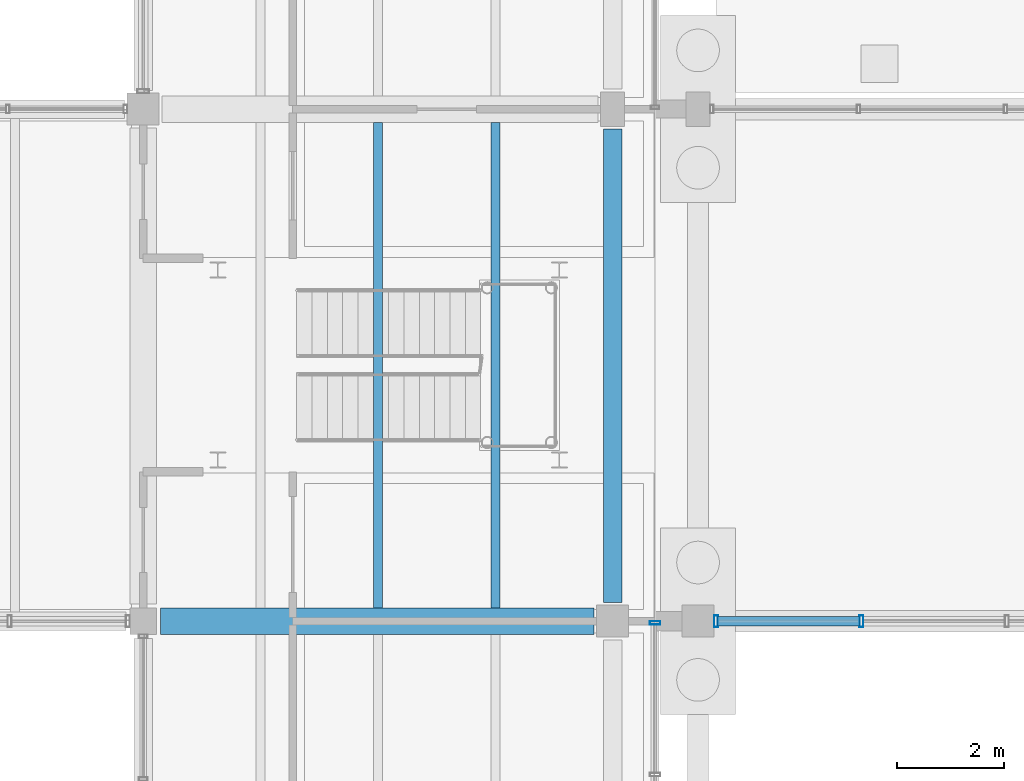
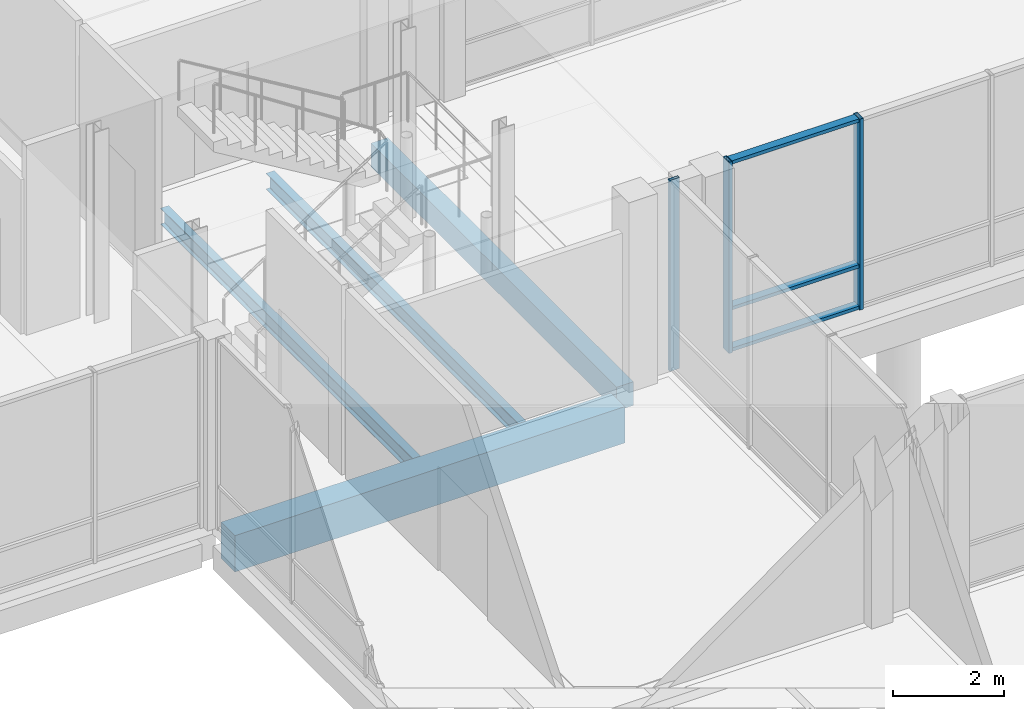
# One storey, part 49 of 104: 6 members, 4 beams, 2 elements without a shape of their own.
"""IFC4 building model written with IfcOpenShell, lengths in metres."""

from ifc_helpers import new_model, si_unit, direction, frame, origin, origin_2d, place, context, subcontext, project, spatial, rectangle, hollow_rectangle, i_section, extrude, material, material_profile, profile_set, type_object, element, aggregate, save


model = new_model("IFC4")

# Units and contexts
model_context = context("Model", 3, precision=1e-05, world=origin(), true_north=direction((0.0, 1.0)))
body_context = subcontext(model_context, "Body", "Model", "MODEL_VIEW")
ifc_project = project(units=[si_unit("LENGTHUNIT", "METRE"), si_unit("AREAUNIT", "SQUARE_METRE"), si_unit("VOLUMEUNIT", "CUBIC_METRE"), si_unit("PLANEANGLEUNIT", "RADIAN"), si_unit("MASSUNIT", "GRAM", prefix="KILO")], contexts=[model_context])

# Site, building, storey
site_placement = place(None, origin())
site = spatial("IfcSite", under=ifc_project, at=site_placement, CompositionType="ELEMENT")
building_placement = place(site_placement, origin())
building = spatial("IfcBuilding", under=site, at=building_placement, Name="Hawrajan Terrace Health Centre", CompositionType="ELEMENT")
storey_placement = place(building_placement, origin())
storey = spatial("IfcBuildingStorey", under=building, at=storey_placement, Name="L00", CompositionType="ELEMENT", Elevation=0.0)

# Curtain wall, member
ifc_material_1 = material(Name="Anodized bronze aluminium and low-E solar glazing", Category="aluminium")
curtain_wall_type_1 = type_object("IfcCurtainWallType", Name="CW_CourtNS_SeriesC1", PredefinedType="USERDEFINED", material=ifc_material_1)
curtain_wall_1_placement = place(storey_placement, origin())
curtain_wall_1 = element("IfcCurtainWall", 1, at=curtain_wall_1_placement, inside=storey, type_object=curtain_wall_type_1, Name="Curtain wall CW-L00-031", ObjectType="UNITISED CURTAIN WALL", PredefinedType="USERDEFINED")
ifc_material_2 = material(Name="Anodized bronze aluminium 6063-T6", Category="aluminium")
ifc_material_profile_1 = material_profile(ifc_material_2, hollow_rectangle(XDim=0.06494140625, YDim=0.199951171875, WallThickness=0.00439453125, at=origin_2d()), Name="CW MUL 65x200")
ifc_profile_set_1 = profile_set([ifc_material_profile_1], Name="Anodized bronze aluminium 6063-T6")
member_type_1 = type_object("IfcMemberType", Name="CWMullion_65x200", PredefinedType="MULLION", material=ifc_profile_set_1)
member_1_placement = place(storey_placement, frame((71.794921875, 27.16748046875, -0.0048828125), z_axis=(0.0, 0.0, 1.0), x_axis=(0.0, 1.0, 0.0)))
member_1 = element("IfcMember", 2, at=member_1_placement, type_object=member_type_1, Name="Mullion CW-L00-031-M4", PredefinedType="MULLION", context=body_context, shape_type="SweptSolid", body=[
    extrude(hollow_rectangle(XDim=0.06494140625, YDim=0.199951171875, WallThickness=0.00439453125, at=origin_2d()), origin(), (0.0, 0.0, 1.0), 4.2099609375),
])
aggregate(curtain_wall_1, [member_1])

# Curtain wall, members
curtain_wall_type_2 = type_object("IfcCurtainWallType", Name="CW_Hall_SeriesD2", PredefinedType="USERDEFINED", material=ifc_material_1)
curtain_wall_2_placement = place(storey_placement, origin())
curtain_wall_2 = element("IfcCurtainWall", 3, at=curtain_wall_2_placement, inside=storey, type_object=curtain_wall_type_2, Name="Curtain wall CW-L00-035", ObjectType="UNITISED CURTAIN WALL", PredefinedType="USERDEFINED")
ifc_material_profile_2 = material_profile(ifc_material_2, hollow_rectangle(XDim=0.074951171875, YDim=0.219970703125, WallThickness=0.0048828125, at=origin_2d()), Name="CW MUL 75x220")
ifc_profile_set_2 = profile_set([ifc_material_profile_2], Name="Anodized bronze aluminium 6063-T6")
member_type_2 = type_object("IfcMemberType", Name="CWMullion_75x220", PredefinedType="MULLION", material=ifc_profile_set_2)
member_2_placement = place(storey_placement, frame((72.9375, 27.199951171875, -0.0048828125), z_axis=(0.0, 0.0, 1.0), x_axis=(1.0, 0.0, 0.0)))
member_2 = element("IfcMember", 4, at=member_2_placement, type_object=member_type_2, Name="Mullion CW-L00-035-M1", PredefinedType="MULLION", context=body_context, shape_type="SweptSolid", body=[
    extrude(hollow_rectangle(XDim=0.074951171875, YDim=0.219970703125, WallThickness=0.0048828125, at=origin_2d()), origin(), (0.0, 0.0, 1.0), 4.2099609375),
])
member_3_placement = place(storey_placement, frame((75.66259765625, 27.199951171875, -0.0048828125), z_axis=(0.0, 0.0, 1.0), x_axis=(1.0, 0.0, 0.0)))
member_3 = element("IfcMember", 5, at=member_3_placement, type_object=member_type_2, Name="Mullion CW-L00-035-M2", PredefinedType="MULLION", context=body_context, shape_type="SweptSolid", body=[
    extrude(hollow_rectangle(XDim=0.074951171875, YDim=0.219970703125, WallThickness=0.0048828125, at=origin_2d()), origin(), (0.0, 0.0, 1.0), 4.2099609375),
])
ifc_material_profile_3 = material_profile(ifc_material_2, hollow_rectangle(XDim=0.074951171875, YDim=0.169921875, WallThickness=0.00439453125, at=origin_2d()), Name="CW TRN 75x170")
ifc_profile_set_3 = profile_set([ifc_material_profile_3], Name="Anodized bronze aluminium 6063-T6")
member_type_3 = type_object("IfcMemberType", Name="CWTransom_75x170", PredefinedType="USERDEFINED", material=ifc_profile_set_3)
member_4_placement = place(storey_placement, frame((72.968994140625, 27.199951171875, 0.03759765625), z_axis=(1.0, 0.0, 0.0), x_axis=(0.0, 0.0, 1.0)))
member_4 = element("IfcMember", 6, at=member_4_placement, type_object=member_type_3, Name="Transom CW-L00-035-T1-1", ObjectType="TRANSOM", PredefinedType="USERDEFINED", context=body_context, shape_type="SweptSolid", body=[
    extrude(hollow_rectangle(XDim=0.074951171875, YDim=0.169921875, WallThickness=0.00439453125, at=origin_2d()), origin(), (0.0, 0.0, 1.0), 2.662109375),
])
member_5_placement = place(storey_placement, frame((72.968994140625, 27.199951171875, 0.949951171875), z_axis=(1.0, 0.0, 0.0), x_axis=(0.0, 0.0, 1.0)))
member_5 = element("IfcMember", 7, at=member_5_placement, type_object=member_type_3, Name="Transom CW-L00-035-T1-2", ObjectType="TRANSOM", PredefinedType="USERDEFINED", context=body_context, shape_type="SweptSolid", body=[
    extrude(hollow_rectangle(XDim=0.074951171875, YDim=0.169921875, WallThickness=0.00439453125, at=origin_2d()), origin(), (0.0, 0.0, 1.0), 2.662109375),
])
member_6_placement = place(storey_placement, frame((72.968994140625, 27.199951171875, 4.16259765625), z_axis=(1.0, 0.0, 0.0), x_axis=(0.0, 0.0, 1.0)))
member_6 = element("IfcMember", 8, at=member_6_placement, type_object=member_type_3, Name="Transom CW-L00-035-T1-3", ObjectType="TRANSOM", PredefinedType="USERDEFINED", context=body_context, shape_type="SweptSolid", body=[
    extrude(hollow_rectangle(XDim=0.074951171875, YDim=0.169921875, WallThickness=0.00439453125, at=origin_2d()), origin(), (0.0, 0.0, 1.0), 2.662109375),
])
aggregate(curtain_wall_2, [member_2, member_3, member_4, member_5, member_6])

# Beams
ifc_material_3 = material(Name="Concrete C40/50", Category="concrete")
ifc_material_profile_4 = material_profile(ifc_material_3, rectangle(XDim=0.5, YDim=0.800048828125, at=origin_2d()), Name="RC BM 500x800")
ifc_profile_set_4 = profile_set([ifc_material_profile_4], Name="Concrete C40/50")
beam_type_1 = type_object("IfcBeamType", Name="RCGirder_500x800", PredefinedType="BEAM", material=ifc_profile_set_4)
beam_1_placement = place(storey_placement, frame((62.52490234375, 27.199951171875, -0.699951171875), z_axis=(1.0, 0.0, 0.0), x_axis=(0.0, 1.0, 0.0)))
element("IfcBeam", 9, at=beam_1_placement, inside=storey, type_object=beam_type_1, Name="Beam BM-X-L00-W-09-Y4", PredefinedType="BEAM", context=body_context, shape_type="SweptSolid", body=[
    extrude(rectangle(XDim=0.5, YDim=0.800048828125, at=origin_2d()), origin(), (0.0, 0.0, 1.0), 8.125),
])
ifc_material_profile_5 = material_profile(ifc_material_3, rectangle(XDim=0.35009765625, YDim=0.52001953125, at=origin_2d()), Name="RC SP 350x520")
ifc_profile_set_5 = profile_set([ifc_material_profile_5], Name="Concrete C40/50")
beam_type_2 = type_object("IfcBeamType", Name="RCSpandrel_350x520", PredefinedType="SPANDREL", material=ifc_profile_set_5)
beam_2_placement = place(storey_placement, frame((71.0, 27.550048828125, -0.56005859375), z_axis=(0.0, 1.0, 0.0), x_axis=(-1.0, 0.0, 0.0)))
element("IfcBeam", 10, at=beam_2_placement, inside=storey, type_object=beam_type_2, Name="Beam BM-Y-L00-W-X10-4", PredefinedType="SPANDREL", context=body_context, shape_type="SweptSolid", body=[
    extrude(rectangle(XDim=0.35009765625, YDim=0.52001953125, at=origin_2d()), origin(), (0.0, 0.0, 1.0), 8.875),
])
ifc_material_4 = material(Name="Steel S355", Category="steel")
ifc_material_profile_6 = material_profile(ifc_material_4, i_section(OverallWidth=0.169921875, OverallDepth=0.360107421875, WebThickness=0.008056640625, FlangeThickness=0.0126953125, FilletRadius=0.01806640625, at=origin_2d()), Name="IPE 360")
ifc_profile_set_6 = profile_set([ifc_material_profile_6], Name="Steel S355")
beam_type_3 = type_object("IfcBeamType", Name="SteelBeam_IPE360", PredefinedType="BEAM", material=ifc_profile_set_6)
for number, where, z_axis, x_axis, name in (
    (11, (66.60009765625, 27.449951171875, -0.47998046875), (0.0, 1.0, 0.0), (-1.0, 0.0, 0.0), "Secondary joist JST-L00-W-09-4-2"),
    (12, (68.800048828125, 27.449951171875, -0.47998046875), (0.0, 1.0, 0.0), (-1.0, 0.0, 0.0), "Secondary joist JST-L00-W-09-4-3"),
):
    element("IfcBeam", number, at=place(storey_placement, frame(where, z_axis=z_axis, x_axis=x_axis)), inside=storey, type_object=beam_type_3, Name=name, PredefinedType="BEAM", context=body_context, shape_type="SweptSolid", body=[
        extrude(i_section(OverallWidth=0.169921875, OverallDepth=0.360107421875, WebThickness=0.008056640625, FlangeThickness=0.0126953125, FilletRadius=0.01806640625, at=origin_2d()), origin(), (0.0, 0.0, 1.0), 9.10009765625),
    ])

save(model, "model.ifc")
